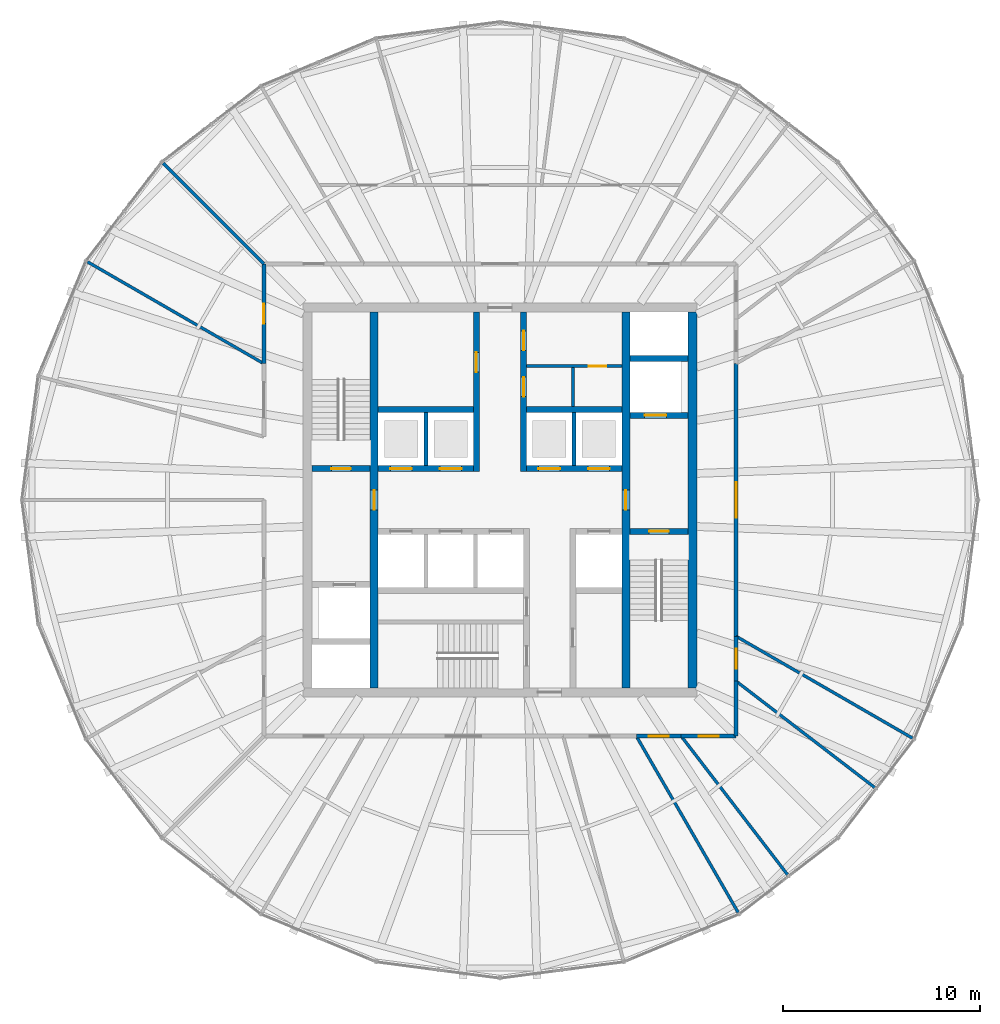
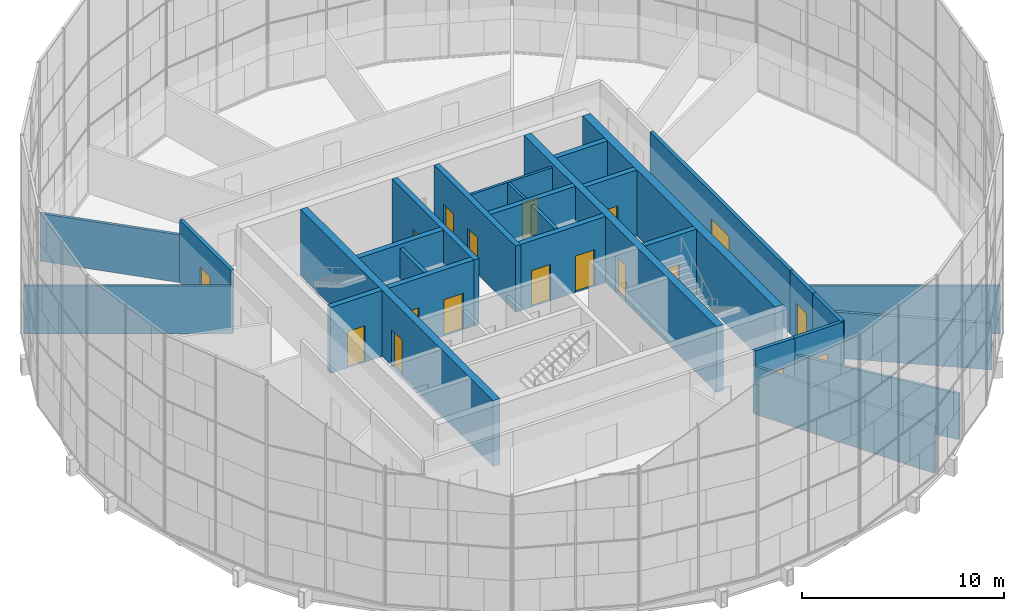
# One storey, part 19 of 22: 29 walls, 18 doors, 18 openings.
"""IFC4 building model written with IfcOpenShell, lengths in metres."""

from ifc_helpers import new_model, si_unit, direction, frame, frame_2d, origin, place, context, subcontext, project, spatial, rectangle, extrude, material, layer, layer_set, type_object, element, fill, save


model = new_model("IFC4")

# Units and contexts
model_context = context("Model", 3, precision=1e-05, world=origin(), true_north=direction((0.0, 1.0)))
body_context = subcontext(model_context, "Body", "Model", "MODEL_VIEW")
ifc_project = project(units=[si_unit("LENGTHUNIT", "METRE"), si_unit("AREAUNIT", "SQUARE_METRE"), si_unit("VOLUMEUNIT", "CUBIC_METRE"), si_unit("PLANEANGLEUNIT", "RADIAN"), si_unit("MASSUNIT", "GRAM", prefix="KILO")], contexts=[model_context])

# Site, building, storey
site_placement = place(None, origin())
site = spatial("IfcSite", under=ifc_project, at=site_placement, CompositionType="ELEMENT")
building_placement = place(site_placement, origin())
building = spatial("IfcBuilding", under=site, at=building_placement, Name="Golbaran Civic Tower", CompositionType="ELEMENT")
storey_placement = place(building_placement, frame((0.0, 0.0, 155.0)))
storey = spatial("IfcBuildingStorey", under=building, at=storey_placement, Name="L37", CompositionType="ELEMENT", Elevation=155.0)

# Wall, opening, door
ifc_material_1 = material(Name="Concrete block", Category="concrete")
ifc_layer_1 = layer(ifc_material_1, 0.14990234375, Name="Concrete block")
ifc_layer_set_1 = layer_set([ifc_layer_1], Name="Concrete block")
wall_type_1 = type_object("IfcWallType", Name="BLOCKWORK PARTITION 150", PredefinedType="PARTITIONING", material=ifc_layer_set_1)
wall_1_placement = place(storey_placement, frame((1.35009765625, 6.800048828125, 0.0), z_axis=(0.0, 0.0, 1.0), x_axis=(1.0, 0.0, 0.0)))
wall_1 = element("IfcWall", 1, at=wall_1_placement, inside=storey, type_object=wall_type_1, Name="Toilet block partition TN1 L37", PredefinedType="PARTITIONING", context=body_context, shape_type="SweptSolid", body=[
    extrude(rectangle(XDim=4.849853515625, YDim=0.14990234375, at=frame_2d((2.4248046875, 0.0))), origin(), (0.0, 0.0, 1.0), 3.75),
])
opening_1_placement = place(wall_1_placement, frame((3.14990234375, 0.0, 0.0)))
opening_1 = element("IfcOpeningElement", 2, at=opening_1_placement, cuts=wall_1, Name="Opening L37.CLN", PredefinedType="OPENING", context=body_context, shape_type="SweptSolid", body=[
    extrude(rectangle(XDim=0.89990234375, YDim=2.199951171875, at=frame_2d((0.449951171875, 1.10009765625))), frame((0.0, 0.0849609375, 0.0), z_axis=(0.0, -1.0, 0.0), x_axis=(1.0, 0.0, 0.0)), (0.0, 0.0, 1.0), 0.169921875),
])
ifc_material_2 = material(Name="Timber door set in steel frame", Category="steel")
door_type_1 = type_object("IfcDoorType", Name="RISER DOOR 900x2200", OperationType="SINGLE_SWING_LEFT", PredefinedType="DOOR", material=ifc_material_2)
door_1_placement = place(opening_1_placement, origin())
door_1 = element("IfcDoor", 3, at=door_1_placement, inside=storey, type_object=door_type_1, Name="Cleaner's Store door", OperationType="SINGLE_SWING_RIGHT", OverallHeight=2.199951171875, OverallWidth=0.89990234375, PredefinedType="DOOR", context=body_context, shape_type="SweptSolid", body=[
    extrude(rectangle(XDim=0.89990234375, YDim=2.199951171875, at=frame_2d((0.449951171875, 1.10009765625))), frame((0.0, 0.02490234375, 0.0), z_axis=(0.0, -1.0, 0.0), x_axis=(1.0, 0.0, 0.0)), (0.0, 0.0, 1.0), 0.050048828125),
])
fill(opening_1, door_1)

# Wall
wall_2_placement = place(storey_placement, frame((3.699951171875, 4.75, 0.0), z_axis=(0.0, 0.0, 1.0), x_axis=(0.0, 1.0, 0.0)))
element("IfcWall", 4, at=wall_2_placement, inside=storey, type_object=wall_type_1, Name="Toilet block partition TN2 L37", PredefinedType="PARTITIONING", context=body_context, shape_type="SweptSolid", body=[
    extrude(rectangle(XDim=1.97509765625, YDim=0.14990234375, at=frame_2d((0.987548828125, 0.0))), origin(), (0.0, 0.0, 1.0), 3.75),
])

# Wall, opening, door
ifc_material_3 = material(Name="Concrete C50/60", Category="concrete")
ifc_layer_2 = layer(ifc_material_3, 0.39990234375, Name="Concrete C50/60")
ifc_layer_set_2 = layer_set([ifc_layer_2], Name="Concrete C50/60")
wall_type_2 = type_object("IfcWallType", Name="CORE WALL CONCRETE 400", PredefinedType="SOLIDWALL", material=ifc_layer_set_2)
wall_3_placement = place(storey_placement, frame((-6.39990234375, -9.550048828125, 0.0), z_axis=(0.0, 0.0, 1.0), x_axis=(0.0, 1.0, 0.0)))
wall_3 = element("IfcWall", 5, at=wall_3_placement, inside=storey, type_object=wall_type_2, Name="Core wall IW L37", PredefinedType="SOLIDWALL", context=body_context, shape_type="SweptSolid", body=[
    extrude(rectangle(XDim=19.10009765625, YDim=0.39990234375, at=frame_2d((9.550048828125, 0.0))), origin(), (0.0, 0.0, 1.0), 4.0),
])
opening_2_placement = place(wall_3_placement, frame((9.050048828125, 0.0, 0.0)))
opening_2 = element("IfcOpeningElement", 6, at=opening_2_placement, cuts=wall_3, Name="Opening L37.FL1", PredefinedType="OPENING", context=body_context, shape_type="SweptSolid", body=[
    extrude(rectangle(XDim=1.0, YDim=2.199951171875, at=frame_2d((0.5, 1.10009765625))), frame((0.0, 0.2099609375, 0.0), z_axis=(0.0, -1.0, 0.0), x_axis=(1.0, 0.0, 0.0)), (0.0, 0.0, 1.0), 0.419921875),
])
door_type_2 = type_object("IfcDoorType", Name="STAIR DOOR 1000x2200", OperationType="SINGLE_SWING_LEFT", PredefinedType="DOOR", material=ifc_material_2)
door_2_placement = place(opening_2_placement, origin())
door_2 = element("IfcDoor", 7, at=door_2_placement, inside=storey, type_object=door_type_2, Name="Fire-fighting lobby FL1 door", OperationType="SINGLE_SWING_LEFT", OverallHeight=2.199951171875, OverallWidth=1.0, PredefinedType="DOOR", context=body_context, shape_type="SweptSolid", body=[
    extrude(rectangle(XDim=1.0, YDim=2.199951171875, at=frame_2d((0.5, 1.10009765625))), frame((0.0, 0.02490234375, 0.0), z_axis=(0.0, -1.0, 0.0), x_axis=(1.0, 0.0, 0.0)), (0.0, 0.0, 1.0), 0.050048828125),
])
fill(opening_2, door_2)

wall_4_placement = place(storey_placement, frame((6.39990234375, 9.550048828125, 0.0), z_axis=(0.0, 0.0, 1.0), x_axis=(0.0, -1.0, 0.0)))
wall_4 = element("IfcWall", 8, at=wall_4_placement, inside=storey, type_object=wall_type_2, Name="Core wall IE L37", PredefinedType="SOLIDWALL", context=body_context, shape_type="SweptSolid", body=[
    extrude(rectangle(XDim=19.10009765625, YDim=0.39990234375, at=frame_2d((9.550048828125, 0.0))), origin(), (0.0, 0.0, 1.0), 4.0),
])
opening_3_placement = place(wall_4_placement, frame((9.050048828125, 0.0, 0.0)))
opening_3 = element("IfcOpeningElement", 9, at=opening_3_placement, cuts=wall_4, Name="Opening L37.FL2", PredefinedType="OPENING", context=body_context, shape_type="SweptSolid", body=[
    extrude(rectangle(XDim=1.0, YDim=2.199951171875, at=frame_2d((0.5, 1.10009765625))), frame((0.0, 0.2099609375, 0.0), z_axis=(0.0, -1.0, 0.0), x_axis=(1.0, 0.0, 0.0)), (0.0, 0.0, 1.0), 0.419921875),
])
door_3_placement = place(opening_3_placement, origin())
door_3 = element("IfcDoor", 10, at=door_3_placement, inside=storey, type_object=door_type_2, Name="Fire-fighting lobby FL2 door", OperationType="SINGLE_SWING_RIGHT", OverallHeight=2.199951171875, OverallWidth=1.0, PredefinedType="DOOR", context=body_context, shape_type="SweptSolid", body=[
    extrude(rectangle(XDim=1.0, YDim=2.199951171875, at=frame_2d((0.5, 1.10009765625))), frame((0.0, 0.02490234375, 0.0), z_axis=(0.0, -1.0, 0.0), x_axis=(1.0, 0.0, 0.0)), (0.0, 0.0, 1.0), 0.050048828125),
])
fill(opening_3, door_3)

# Wall
ifc_layer_3 = layer(ifc_material_3, 0.449951171875, Name="Concrete C50/60")
ifc_layer_set_3 = layer_set([ifc_layer_3], Name="Concrete C50/60")
wall_type_3 = type_object("IfcWallType", Name="CORE WALL CONCRETE 450", PredefinedType="SOLIDWALL", material=ifc_layer_set_3)
wall_5_placement = place(storey_placement, frame((9.77490234375, -9.550048828125, 0.0), z_axis=(0.0, 0.0, 1.0), x_axis=(0.0, 1.0, 0.0)))
element("IfcWall", 11, at=wall_5_placement, inside=storey, type_object=wall_type_3, Name="Core wall CE L37", PredefinedType="SOLIDWALL", context=body_context, shape_type="SweptSolid", body=[
    extrude(rectangle(XDim=19.10009765625, YDim=0.449951171875, at=frame_2d((9.550048828125, 0.0))), origin(), (0.0, 0.0, 1.0), 4.0),
])

# Wall, opening, door
ifc_material_4 = material(Name="Gypsum board on steel studs, fire-rated", Category="steel")
ifc_layer_4 = layer(ifc_material_4, 0.199951171875, Name="Gypsum board on steel studs, fire-rated")
ifc_layer_set_4 = layer_set([ifc_layer_4], Name="Gypsum board on steel studs, fire-rated")
wall_type_4 = type_object("IfcWallType", Name="CORRIDOR WALL 200", PredefinedType="PARTITIONING", material=ifc_layer_set_4)
wall_6_placement = place(storey_placement, frame((12.0, -6.92822265625, 0.0), z_axis=(0.0, 0.0, 1.0), x_axis=(0.0, 1.0, 0.0)))
wall_6 = element("IfcWall", 12, at=wall_6_placement, inside=storey, type_object=wall_type_4, Name="Corridor wall L37", PredefinedType="PARTITIONING", context=body_context, shape_type="SweptSolid", body=[
    extrude(rectangle(XDim=13.8564453125, YDim=0.199951171875, at=frame_2d((6.92822265625, 0.0))), origin(), (0.0, 0.0, 1.0), 3.800048828125),
])
opening_4_placement = place(wall_6_placement, frame((6.0283203125, 0.0, 0.0)))
opening_4 = element("IfcOpeningElement", 13, at=opening_4_placement, cuts=wall_6, Name="Opening L37.04", PredefinedType="OPENING", context=body_context, shape_type="SweptSolid", body=[
    extrude(rectangle(XDim=1.800048828125, YDim=2.199951171875, at=frame_2d((0.89990234375, 1.10009765625))), frame((0.0, 0.10986328125, 0.0), z_axis=(0.0, -1.0, 0.0), x_axis=(1.0, 0.0, 0.0)), (0.0, 0.0, 1.0), 0.219970703125),
])
door_type_3 = type_object("IfcDoorType", Name="OFFICE DOUBLE DOOR 1800x2200", OperationType="DOUBLE_DOOR_SINGLE_SWING", PredefinedType="DOOR", material=ifc_material_2)
door_4_placement = place(opening_4_placement, origin())
door_4 = element("IfcDoor", 14, at=door_4_placement, inside=storey, type_object=door_type_3, Name="Project Room door L37", OperationType="DOUBLE_DOOR_SINGLE_SWING", OverallHeight=2.199951171875, OverallWidth=1.800048828125, PredefinedType="DOOR", context=body_context, shape_type="SweptSolid", body=[
    extrude(rectangle(XDim=1.800048828125, YDim=2.199951171875, at=frame_2d((0.89990234375, 1.10009765625))), frame((0.0, 0.02490234375, 0.0), z_axis=(0.0, -1.0, 0.0), x_axis=(1.0, 0.0, 0.0)), (0.0, 0.0, 1.0), 0.050048828125),
])
fill(opening_4, door_4)

wall_7_placement = place(storey_placement, frame((-12.0, 12.0, 0.0), z_axis=(0.0, 0.0, 1.0), x_axis=(0.0, -1.0, 0.0)))
wall_7 = element("IfcWall", 15, at=wall_7_placement, inside=storey, type_object=wall_type_4, Name="Corridor wall L37", PredefinedType="PARTITIONING", context=body_context, shape_type="SweptSolid", body=[
    extrude(rectangle(XDim=5.07177734375, YDim=0.199951171875, at=frame_2d((2.535888671875, 0.0))), origin(), (0.0, 0.0, 1.0), 3.800048828125),
])
opening_5_placement = place(wall_7_placement, frame((2.035888671875, 0.0, 0.0)))
opening_5 = element("IfcOpeningElement", 16, at=opening_5_placement, cuts=wall_7, Name="Opening L37.10", PredefinedType="OPENING", context=body_context, shape_type="SweptSolid", body=[
    extrude(rectangle(XDim=1.0, YDim=2.199951171875, at=frame_2d((0.5, 1.10009765625))), frame((0.0, 0.10986328125, 0.0), z_axis=(0.0, -1.0, 0.0), x_axis=(1.0, 0.0, 0.0)), (0.0, 0.0, 1.0), 0.219970703125),
])
door_type_4 = type_object("IfcDoorType", Name="OFFICE DOOR 1000x2200", OperationType="SINGLE_SWING_LEFT", PredefinedType="DOOR", material=ifc_material_2)
door_5_placement = place(opening_5_placement, origin())
door_5 = element("IfcDoor", 17, at=door_5_placement, inside=storey, type_object=door_type_4, Name="Print and Copy Room door L37", OperationType="SINGLE_SWING_RIGHT", OverallHeight=2.199951171875, OverallWidth=1.0, PredefinedType="DOOR", context=body_context, shape_type="SweptSolid", body=[
    extrude(rectangle(XDim=1.0, YDim=2.199951171875, at=frame_2d((0.5, 1.10009765625))), frame((0.0, 0.02490234375, 0.0), z_axis=(0.0, -1.0, 0.0), x_axis=(1.0, 0.0, 0.0)), (0.0, 0.0, 1.0), 0.050048828125),
])
fill(opening_5, door_5)

wall_8_placement = place(storey_placement, frame((6.92822265625, -12.0, 0.0), z_axis=(0.0, 0.0, 1.0), x_axis=(1.0, 0.0, 0.0)))
wall_8 = element("IfcWall", 18, at=wall_8_placement, inside=storey, type_object=wall_type_4, Name="Corridor wall L37", PredefinedType="PARTITIONING", context=body_context, shape_type="SweptSolid", body=[
    extrude(rectangle(XDim=2.27978515625, YDim=0.199951171875, at=frame_2d((1.139892578125, 0.0))), origin(), (0.0, 0.0, 1.0), 3.800048828125),
])
opening_6_placement = place(wall_8_placement, frame((0.639892578125, 0.0, 0.0)))
opening_6 = element("IfcOpeningElement", 19, at=opening_6_placement, cuts=wall_8, Name="Opening L37.17", PredefinedType="OPENING", context=body_context, shape_type="SweptSolid", body=[
    extrude(rectangle(XDim=1.0, YDim=2.199951171875, at=frame_2d((0.5, 1.10009765625))), frame((0.0, 0.10986328125, 0.0), z_axis=(0.0, -1.0, 0.0), x_axis=(1.0, 0.0, 0.0)), (0.0, 0.0, 1.0), 0.219970703125),
])
door_6_placement = place(opening_6_placement, origin())
door_6 = element("IfcDoor", 20, at=door_6_placement, inside=storey, type_object=door_type_4, Name="Print and Copy Room door L37", OperationType="SINGLE_SWING_LEFT", OverallHeight=2.199951171875, OverallWidth=1.0, PredefinedType="DOOR", context=body_context, shape_type="SweptSolid", body=[
    extrude(rectangle(XDim=1.0, YDim=2.199951171875, at=frame_2d((0.5, 1.10009765625))), frame((0.0, 0.02490234375, 0.0), z_axis=(0.0, -1.0, 0.0), x_axis=(1.0, 0.0, 0.0)), (0.0, 0.0, 1.0), 0.050048828125),
])
fill(opening_6, door_6)

wall_9_placement = place(storey_placement, frame((9.2080078125, -12.0, 0.0), z_axis=(0.0, 0.0, 1.0), x_axis=(1.0, 0.0, 0.0)))
wall_9 = element("IfcWall", 21, at=wall_9_placement, inside=storey, type_object=wall_type_4, Name="Corridor wall L37", PredefinedType="PARTITIONING", context=body_context, shape_type="SweptSolid", body=[
    extrude(rectangle(XDim=2.7919921875, YDim=0.199951171875, at=frame_2d((1.39599609375, 0.0))), origin(), (0.0, 0.0, 1.0), 3.800048828125),
])
opening_7_placement = place(wall_9_placement, frame((0.89599609375, 0.0, 0.0)))
opening_7 = element("IfcOpeningElement", 22, at=opening_7_placement, cuts=wall_9, Name="Opening L37.18", PredefinedType="OPENING", context=body_context, shape_type="SweptSolid", body=[
    extrude(rectangle(XDim=1.0, YDim=2.199951171875, at=frame_2d((0.5, 1.10009765625))), frame((0.0, 0.10986328125, 0.0), z_axis=(0.0, -1.0, 0.0), x_axis=(1.0, 0.0, 0.0)), (0.0, 0.0, 1.0), 0.219970703125),
])
door_7_placement = place(opening_7_placement, origin())
door_7 = element("IfcDoor", 23, at=door_7_placement, inside=storey, type_object=door_type_4, Name="Quiet Room door L37", OperationType="SINGLE_SWING_LEFT", OverallHeight=2.199951171875, OverallWidth=1.0, PredefinedType="DOOR", context=body_context, shape_type="SweptSolid", body=[
    extrude(rectangle(XDim=1.0, YDim=2.199951171875, at=frame_2d((0.5, 1.10009765625))), frame((0.0, 0.02490234375, 0.0), z_axis=(0.0, -1.0, 0.0), x_axis=(1.0, 0.0, 0.0)), (0.0, 0.0, 1.0), 0.050048828125),
])
fill(opening_7, door_7)

# Wall
wall_10_placement = place(storey_placement, frame((12.0, -12.0, 0.0), z_axis=(0.0, 0.0, 1.0), x_axis=(0.0, 1.0, 0.0)))
element("IfcWall", 24, at=wall_10_placement, inside=storey, type_object=wall_type_4, Name="Corridor wall L37", PredefinedType="PARTITIONING", context=body_context, shape_type="SweptSolid", body=[
    extrude(rectangle(XDim=2.7919921875, YDim=0.199951171875, at=frame_2d((1.39599609375, 0.0))), origin(), (0.0, 0.0, 1.0), 3.800048828125),
])

# Wall, opening, door
wall_11_placement = place(storey_placement, frame((12.0, -9.2080078125, 0.0), z_axis=(0.0, 0.0, 1.0), x_axis=(0.0, 1.0, 0.0)))
wall_11 = element("IfcWall", 25, at=wall_11_placement, inside=storey, type_object=wall_type_4, Name="Corridor wall L37", PredefinedType="PARTITIONING", context=body_context, shape_type="SweptSolid", body=[
    extrude(rectangle(XDim=2.27978515625, YDim=0.199951171875, at=frame_2d((1.139892578125, 0.0))), origin(), (0.0, 0.0, 1.0), 3.800048828125),
])
opening_8_placement = place(wall_11_placement, frame((0.639892578125, 0.0, 0.0)))
opening_8 = element("IfcOpeningElement", 26, at=opening_8_placement, cuts=wall_11, Name="Opening L37.19", PredefinedType="OPENING", context=body_context, shape_type="SweptSolid", body=[
    extrude(rectangle(XDim=1.0, YDim=2.199951171875, at=frame_2d((0.5, 1.10009765625))), frame((0.0, 0.10986328125, 0.0), z_axis=(0.0, -1.0, 0.0), x_axis=(1.0, 0.0, 0.0)), (0.0, 0.0, 1.0), 0.219970703125),
])
door_8_placement = place(opening_8_placement, origin())
door_8 = element("IfcDoor", 27, at=door_8_placement, inside=storey, type_object=door_type_4, Name="Store door L37", OperationType="SINGLE_SWING_LEFT", OverallHeight=2.199951171875, OverallWidth=1.0, PredefinedType="DOOR", context=body_context, shape_type="SweptSolid", body=[
    extrude(rectangle(XDim=1.0, YDim=2.199951171875, at=frame_2d((0.5, 1.10009765625))), frame((0.0, 0.02490234375, 0.0), z_axis=(0.0, -1.0, 0.0), x_axis=(1.0, 0.0, 0.0)), (0.0, 0.0, 1.0), 0.050048828125),
])
fill(opening_8, door_8)

# Walls
ifc_layer_5 = layer(ifc_material_1, 0.199951171875, Name="Concrete block")
ifc_layer_set_5 = layer_set([ifc_layer_5], Name="Concrete block")
wall_type_5 = type_object("IfcWallType", Name="LIFT SEPARATOR WALL 200", PredefinedType="SOLIDWALL", material=ifc_layer_set_5)
for number, where, z_axis, x_axis, name in (
    (28, (-3.75, 1.75, 0.0), (0.0, 0.0, 1.0), (0.0, 1.0, 0.0), "Core partition SNW L37"),
    (29, (3.75, 1.75, 0.0), (0.0, 0.0, 1.0), (0.0, 1.0, 0.0), "Core partition SNE L37"),
):
    element("IfcWall", number, at=place(storey_placement, frame(where, z_axis=z_axis, x_axis=x_axis)), inside=storey, type_object=wall_type_5, Name=name, PredefinedType="SOLIDWALL", context=body_context, shape_type="SweptSolid", body=[
        extrude(rectangle(XDim=2.699951171875, YDim=0.199951171875, at=frame_2d((1.35009765625, 0.0))), origin(), (0.0, 0.0, 1.0), 3.75),
    ])
ifc_material_5 = material(Name="Gypsum board on steel studs", Category="steel")
ifc_layer_6 = layer(ifc_material_5, 0.14990234375, Name="Gypsum board on steel studs")
ifc_layer_set_6 = layer_set([ifc_layer_6], Name="Gypsum board on steel studs")
wall_type_6 = type_object("IfcWallType", Name="OFFICE PARTITION 150", PredefinedType="PARTITIONING", material=ifc_layer_set_6)
wall_12_placement = place(storey_placement, frame((12.0, -6.92822265625, 0.0), z_axis=(0.0, 0.0, 1.0), x_axis=(0.86602185845, -0.500006140648, 0.0)))
element("IfcWall", 30, at=wall_12_placement, inside=storey, type_object=wall_type_6, Name="Partition 330 L37", PredefinedType="PARTITIONING", context=body_context, shape_type="SweptSolid", body=[
    extrude(rectangle(XDim=10.354736328125, YDim=0.14990234375, at=frame_2d((5.17724609375, 0.0))), origin(), (0.0, 0.0, 1.0), 2.889892578125),
])
wall_13_placement = place(storey_placement, frame((-12.0, 12.0, 0.0), z_axis=(0.0, 0.0, 1.0), x_axis=(-0.707106781187, 0.707106781187, 0.0)))
element("IfcWall", 31, at=wall_13_placement, inside=storey, type_object=wall_type_6, Name="Partition 135 L37", PredefinedType="PARTITIONING", context=body_context, shape_type="SweptSolid", body=[
    extrude(rectangle(XDim=7.240478515625, YDim=0.14990234375, at=frame_2d((3.6201171875, 0.0))), origin(), (0.0, 0.0, 1.0), 2.889892578125),
])
for number, where, z_axis, x_axis, name in (
    (32, (-12.0, 6.92822265625, 0.0), (0.0, 0.0, 1.0), (-0.86602185845, 0.500006140648, 0.0), "Partition 150 L37"),
    (33, (6.92822265625, -12.0, 0.0), (0.0, 0.0, 1.0), (0.500006140648, -0.86602185845, 0.0), "Partition 300 L37"),
):
    element("IfcWall", number, at=place(storey_placement, frame(where, z_axis=z_axis, x_axis=x_axis)), inside=storey, type_object=wall_type_6, Name=name, PredefinedType="PARTITIONING", context=body_context, shape_type="SweptSolid", body=[
        extrude(rectangle(XDim=10.354736328125, YDim=0.14990234375, at=frame_2d((5.17724609375, 0.0))), origin(), (0.0, 0.0, 1.0), 2.889892578125),
    ])
for number, where, z_axis, x_axis, name in (
    (34, (9.2080078125, -12.0, 0.0), (0.0, 0.0, 1.0), (0.608758816746, -0.793355344744, 0.0), "Partition 307.5 L37"),
    (35, (12.0, -9.2080078125, 0.0), (0.0, 0.0, 1.0), (0.793355344744, -0.608758816746, 0.0), "Partition 322.5 L37"),
):
    element("IfcWall", number, at=place(storey_placement, frame(where, z_axis=z_axis, x_axis=x_axis)), inside=storey, type_object=wall_type_6, Name=name, PredefinedType="PARTITIONING", context=body_context, shape_type="SweptSolid", body=[
        extrude(rectangle(XDim=8.87841796875, YDim=0.14990234375, at=frame_2d((4.439208984375, 0.0))), origin(), (0.0, 0.0, 1.0), 2.7900390625),
    ])

# Wall, openings, doors
ifc_layer_7 = layer(ifc_material_3, 0.300048828125, Name="Concrete C50/60")
ifc_layer_set_7 = layer_set([ifc_layer_7], Name="Concrete C50/60")
wall_type_7 = type_object("IfcWallType", Name="SHAFT WALL CONCRETE 300", PredefinedType="SOLIDWALL", material=ifc_layer_set_7)
wall_14_placement = place(storey_placement, frame((-6.199951171875, 1.60009765625, 0.0), z_axis=(0.0, 0.0, 1.0), x_axis=(1.0, 0.0, 0.0)))
wall_14 = element("IfcWall", 36, at=wall_14_placement, inside=storey, type_object=wall_type_7, Name="Core wall FNW L37", PredefinedType="SOLIDWALL", context=body_context, shape_type="SweptSolid", body=[
    extrude(rectangle(XDim=4.849853515625, YDim=0.300048828125, at=frame_2d((2.4248046875, 0.0))), origin(), (0.0, 0.0, 1.0), 4.0),
])
opening_9_placement = place(wall_14_placement, frame((0.625, 0.0, 0.0)))
opening_9 = element("IfcOpeningElement", 37, at=opening_9_placement, cuts=wall_14, Name="Opening L37.LD-Z1H", PredefinedType="OPENING", context=body_context, shape_type="SweptSolid", body=[
    extrude(rectangle(XDim=1.10009765625, YDim=2.199951171875, at=frame_2d((0.550048828125, 1.10009765625))), frame((0.0, 0.159912109375, 0.0), z_axis=(0.0, -1.0, 0.0), x_axis=(1.0, 0.0, 0.0)), (0.0, 0.0, 1.0), 0.320068359375),
])
opening_10_placement = place(wall_14_placement, frame((3.14990234375, 0.0, 0.0)))
opening_10 = element("IfcOpeningElement", 38, at=opening_10_placement, cuts=wall_14, Name="Opening L37.LD-Z2H", PredefinedType="OPENING", context=body_context, shape_type="SweptSolid", body=[
    extrude(rectangle(XDim=1.10009765625, YDim=2.199951171875, at=frame_2d((0.550048828125, 1.10009765625))), frame((0.0, 0.159912109375, 0.0), z_axis=(0.0, -1.0, 0.0), x_axis=(1.0, 0.0, 0.0)), (0.0, 0.0, 1.0), 0.320068359375),
])
ifc_material_6 = material(Name="Stainless steel", Category="steel")
door_type_5 = type_object("IfcDoorType", Name="LIFT LANDING DOOR 1100x2200", OperationType="SLIDING_TO_LEFT", PredefinedType="DOOR", material=ifc_material_6)
door_9_placement = place(opening_9_placement, origin())
door_9 = element("IfcDoor", 39, at=door_9_placement, inside=storey, type_object=door_type_5, Name="Lift landing door Z1H", OperationType="SLIDING_TO_LEFT", OverallHeight=2.199951171875, OverallWidth=1.10009765625, PredefinedType="DOOR", context=body_context, shape_type="SweptSolid", body=[
    extrude(rectangle(XDim=1.10009765625, YDim=2.199951171875, at=frame_2d((0.550048828125, 1.10009765625))), frame((0.0, 0.02490234375, 0.0), z_axis=(0.0, -1.0, 0.0), x_axis=(1.0, 0.0, 0.0)), (0.0, 0.0, 1.0), 0.050048828125),
])
fill(opening_9, door_9)
door_10_placement = place(opening_10_placement, origin())
door_10 = element("IfcDoor", 40, at=door_10_placement, inside=storey, type_object=door_type_5, Name="Lift landing door Z2H", OperationType="SLIDING_TO_LEFT", OverallHeight=2.199951171875, OverallWidth=1.10009765625, PredefinedType="DOOR", context=body_context, shape_type="SweptSolid", body=[
    extrude(rectangle(XDim=1.10009765625, YDim=2.199951171875, at=frame_2d((0.550048828125, 1.10009765625))), frame((0.0, 0.02490234375, 0.0), z_axis=(0.0, -1.0, 0.0), x_axis=(1.0, 0.0, 0.0)), (0.0, 0.0, 1.0), 0.050048828125),
])
fill(opening_10, door_10)

wall_15_placement = place(storey_placement, frame((1.35009765625, 1.60009765625, 0.0), z_axis=(0.0, 0.0, 1.0), x_axis=(1.0, 0.0, 0.0)))
wall_15 = element("IfcWall", 41, at=wall_15_placement, inside=storey, type_object=wall_type_7, Name="Core wall FNE L37", PredefinedType="SOLIDWALL", context=body_context, shape_type="SweptSolid", body=[
    extrude(rectangle(XDim=4.849853515625, YDim=0.300048828125, at=frame_2d((2.4248046875, 0.0))), origin(), (0.0, 0.0, 1.0), 4.0),
])
opening_11_placement = place(wall_15_placement, frame((0.60009765625, 0.0, 0.0)))
opening_11 = element("IfcOpeningElement", 42, at=opening_11_placement, cuts=wall_15, Name="Opening L37.LD-Z3H", PredefinedType="OPENING", context=body_context, shape_type="SweptSolid", body=[
    extrude(rectangle(XDim=1.10009765625, YDim=2.199951171875, at=frame_2d((0.550048828125, 1.10009765625))), frame((0.0, 0.159912109375, 0.0), z_axis=(0.0, -1.0, 0.0), x_axis=(1.0, 0.0, 0.0)), (0.0, 0.0, 1.0), 0.320068359375),
])
opening_12_placement = place(wall_15_placement, frame((3.125, 0.0, 0.0)))
opening_12 = element("IfcOpeningElement", 43, at=opening_12_placement, cuts=wall_15, Name="Opening L37.LD-Z4H", PredefinedType="OPENING", context=body_context, shape_type="SweptSolid", body=[
    extrude(rectangle(XDim=1.10009765625, YDim=2.199951171875, at=frame_2d((0.550048828125, 1.10009765625))), frame((0.0, 0.159912109375, 0.0), z_axis=(0.0, -1.0, 0.0), x_axis=(1.0, 0.0, 0.0)), (0.0, 0.0, 1.0), 0.320068359375),
])
door_11_placement = place(opening_11_placement, origin())
door_11 = element("IfcDoor", 44, at=door_11_placement, inside=storey, type_object=door_type_5, Name="Lift landing door Z3H", OperationType="SLIDING_TO_LEFT", OverallHeight=2.199951171875, OverallWidth=1.10009765625, PredefinedType="DOOR", context=body_context, shape_type="SweptSolid", body=[
    extrude(rectangle(XDim=1.10009765625, YDim=2.199951171875, at=frame_2d((0.550048828125, 1.10009765625))), frame((0.0, 0.02490234375, 0.0), z_axis=(0.0, -1.0, 0.0), x_axis=(1.0, 0.0, 0.0)), (0.0, 0.0, 1.0), 0.050048828125),
])
fill(opening_11, door_11)
door_12_placement = place(opening_12_placement, origin())
door_12 = element("IfcDoor", 45, at=door_12_placement, inside=storey, type_object=door_type_5, Name="Lift landing door Z4H", OperationType="SLIDING_TO_LEFT", OverallHeight=2.199951171875, OverallWidth=1.10009765625, PredefinedType="DOOR", context=body_context, shape_type="SweptSolid", body=[
    extrude(rectangle(XDim=1.10009765625, YDim=2.199951171875, at=frame_2d((0.550048828125, 1.10009765625))), frame((0.0, 0.02490234375, 0.0), z_axis=(0.0, -1.0, 0.0), x_axis=(1.0, 0.0, 0.0)), (0.0, 0.0, 1.0), 0.050048828125),
])
fill(opening_12, door_12)

# Walls
for number, where, z_axis, x_axis, name in (
    (46, (-6.199951171875, 4.60009765625, 0.0), (0.0, 0.0, 1.0), (1.0, 0.0, 0.0), "Core wall BNW L37"),
    (47, (1.35009765625, 4.60009765625, 0.0), (0.0, 0.0, 1.0), (1.0, 0.0, 0.0), "Core wall BNE L37"),
):
    element("IfcWall", number, at=place(storey_placement, frame(where, z_axis=z_axis, x_axis=x_axis)), inside=storey, type_object=wall_type_7, Name=name, PredefinedType="SOLIDWALL", context=body_context, shape_type="SweptSolid", body=[
        extrude(rectangle(XDim=4.849853515625, YDim=0.300048828125, at=frame_2d((2.4248046875, 0.0))), origin(), (0.0, 0.0, 1.0), 4.0),
    ])

# Wall, opening, door
wall_16_placement = place(storey_placement, frame((-1.199951171875, 1.449951171875, 0.0), z_axis=(0.0, 0.0, 1.0), x_axis=(0.0, 1.0, 0.0)))
wall_16 = element("IfcWall", 48, at=wall_16_placement, inside=storey, type_object=wall_type_7, Name="Core wall PNW L37", PredefinedType="SOLIDWALL", context=body_context, shape_type="SweptSolid", body=[
    extrude(rectangle(XDim=8.10009765625, YDim=0.300048828125, at=frame_2d((4.050048828125, 0.0))), origin(), (0.0, 0.0, 1.0), 4.0),
])
opening_13_placement = place(wall_16_placement, frame((5.050048828125, 0.0, 0.0)))
opening_13 = element("IfcOpeningElement", 49, at=opening_13_placement, cuts=wall_16, Name="Opening L37.WCM", PredefinedType="OPENING", context=body_context, shape_type="SweptSolid", body=[
    extrude(rectangle(XDim=1.0, YDim=2.199951171875, at=frame_2d((0.5, 1.10009765625))), frame((0.0, 0.159912109375, 0.0), z_axis=(0.0, -1.0, 0.0), x_axis=(1.0, 0.0, 0.0)), (0.0, 0.0, 1.0), 0.320068359375),
])
door_type_6 = type_object("IfcDoorType", Name="TOILET DOOR 1000x2200", OperationType="SINGLE_SWING_LEFT", PredefinedType="DOOR", material=ifc_material_2)
door_13_placement = place(opening_13_placement, origin())
door_13 = element("IfcDoor", 50, at=door_13_placement, inside=storey, type_object=door_type_6, Name="North-west toilet block door", OperationType="SINGLE_SWING_RIGHT", OverallHeight=2.199951171875, OverallWidth=1.0, PredefinedType="DOOR", context=body_context, shape_type="SweptSolid", body=[
    extrude(rectangle(XDim=1.0, YDim=2.199951171875, at=frame_2d((0.5, 1.10009765625))), frame((0.0, 0.02490234375, 0.0), z_axis=(0.0, -1.0, 0.0), x_axis=(1.0, 0.0, 0.0)), (0.0, 0.0, 1.0), 0.050048828125),
])
fill(opening_13, door_13)

# Wall, openings, doors
wall_17_placement = place(storey_placement, frame((1.199951171875, 1.449951171875, 0.0), z_axis=(0.0, 0.0, 1.0), x_axis=(0.0, 1.0, 0.0)))
wall_17 = element("IfcWall", 51, at=wall_17_placement, inside=storey, type_object=wall_type_7, Name="Core wall PNE L37", PredefinedType="SOLIDWALL", context=body_context, shape_type="SweptSolid", body=[
    extrude(rectangle(XDim=8.10009765625, YDim=0.300048828125, at=frame_2d((4.050048828125, 0.0))), origin(), (0.0, 0.0, 1.0), 4.0),
])
opening_14_placement = place(wall_17_placement, frame((3.800048828125, 0.0, 0.0)))
opening_14 = element("IfcOpeningElement", 52, at=opening_14_placement, cuts=wall_17, Name="Opening L37.WCA", PredefinedType="OPENING", context=body_context, shape_type="SweptSolid", body=[
    extrude(rectangle(XDim=1.0, YDim=2.199951171875, at=frame_2d((0.5, 1.10009765625))), frame((0.0, 0.159912109375, 0.0), z_axis=(0.0, -1.0, 0.0), x_axis=(1.0, 0.0, 0.0)), (0.0, 0.0, 1.0), 0.320068359375),
])
opening_15_placement = place(wall_17_placement, frame((6.14990234375, 0.0, 0.0)))
opening_15 = element("IfcOpeningElement", 53, at=opening_15_placement, cuts=wall_17, Name="Opening L37.WCF", PredefinedType="OPENING", context=body_context, shape_type="SweptSolid", body=[
    extrude(rectangle(XDim=1.0, YDim=2.199951171875, at=frame_2d((0.5, 1.10009765625))), frame((0.0, 0.159912109375, 0.0), z_axis=(0.0, -1.0, 0.0), x_axis=(1.0, 0.0, 0.0)), (0.0, 0.0, 1.0), 0.320068359375),
])
door_14_placement = place(opening_14_placement, origin())
door_14 = element("IfcDoor", 54, at=door_14_placement, inside=storey, type_object=door_type_6, Name="Accessible WC door", OperationType="SINGLE_SWING_RIGHT", OverallHeight=2.199951171875, OverallWidth=1.0, PredefinedType="DOOR", context=body_context, shape_type="SweptSolid", body=[
    extrude(rectangle(XDim=1.0, YDim=2.199951171875, at=frame_2d((0.5, 1.10009765625))), frame((0.0, 0.02490234375, 0.0), z_axis=(0.0, -1.0, 0.0), x_axis=(1.0, 0.0, 0.0)), (0.0, 0.0, 1.0), 0.050048828125),
])
fill(opening_14, door_14)
door_15_placement = place(opening_15_placement, origin())
door_15 = element("IfcDoor", 55, at=door_15_placement, inside=storey, type_object=door_type_6, Name="North-east toilet block door", OperationType="SINGLE_SWING_RIGHT", OverallHeight=2.199951171875, OverallWidth=1.0, PredefinedType="DOOR", context=body_context, shape_type="SweptSolid", body=[
    extrude(rectangle(XDim=1.0, YDim=2.199951171875, at=frame_2d((0.5, 1.10009765625))), frame((0.0, 0.02490234375, 0.0), z_axis=(0.0, -1.0, 0.0), x_axis=(1.0, 0.0, 0.0)), (0.0, 0.0, 1.0), 0.050048828125),
])
fill(opening_15, door_15)

# Wall, opening, door
wall_18_placement = place(storey_placement, frame((-9.550048828125, 1.60009765625, 0.0), z_axis=(0.0, 0.0, 1.0), x_axis=(1.0, 0.0, 0.0)))
wall_18 = element("IfcWall", 56, at=wall_18_placement, inside=storey, type_object=wall_type_7, Name="Core wall XW1 L37", PredefinedType="SOLIDWALL", context=body_context, shape_type="SweptSolid", body=[
    extrude(rectangle(XDim=2.949951171875, YDim=0.300048828125, at=frame_2d((1.47509765625, 0.0))), origin(), (0.0, 0.0, 1.0), 4.0),
])
opening_16_placement = place(wall_18_placement, frame((0.97509765625, 0.0, 0.0)))
opening_16 = element("IfcOpeningElement", 57, at=opening_16_placement, cuts=wall_18, Name="Opening L37.S1", PredefinedType="OPENING", context=body_context, shape_type="SweptSolid", body=[
    extrude(rectangle(XDim=1.0, YDim=2.199951171875, at=frame_2d((0.5, 1.10009765625))), frame((0.0, 0.159912109375, 0.0), z_axis=(0.0, -1.0, 0.0), x_axis=(1.0, 0.0, 0.0)), (0.0, 0.0, 1.0), 0.320068359375),
])
door_16_placement = place(opening_16_placement, origin())
door_16 = element("IfcDoor", 58, at=door_16_placement, inside=storey, type_object=door_type_2, Name="Stair S1 door", OperationType="SINGLE_SWING_LEFT", OverallHeight=2.199951171875, OverallWidth=1.0, PredefinedType="DOOR", context=body_context, shape_type="SweptSolid", body=[
    extrude(rectangle(XDim=1.0, YDim=2.199951171875, at=frame_2d((0.5, 1.10009765625))), frame((0.0, 0.02490234375, 0.0), z_axis=(0.0, -1.0, 0.0), x_axis=(1.0, 0.0, 0.0)), (0.0, 0.0, 1.0), 0.050048828125),
])
fill(opening_16, door_16)

wall_19_placement = place(storey_placement, frame((6.60009765625, -1.60009765625, 0.0), z_axis=(0.0, 0.0, 1.0), x_axis=(1.0, 0.0, 0.0)))
wall_19 = element("IfcWall", 59, at=wall_19_placement, inside=storey, type_object=wall_type_7, Name="Core wall XE1 L37", PredefinedType="SOLIDWALL", context=body_context, shape_type="SweptSolid", body=[
    extrude(rectangle(XDim=2.949951171875, YDim=0.300048828125, at=frame_2d((1.47509765625, 0.0))), origin(), (0.0, 0.0, 1.0), 4.0),
])
opening_17_placement = place(wall_19_placement, frame((0.97509765625, 0.0, 0.0)))
opening_17 = element("IfcOpeningElement", 60, at=opening_17_placement, cuts=wall_19, Name="Opening L37.S2", PredefinedType="OPENING", context=body_context, shape_type="SweptSolid", body=[
    extrude(rectangle(XDim=1.0, YDim=2.199951171875, at=frame_2d((0.5, 1.10009765625))), frame((0.0, 0.159912109375, 0.0), z_axis=(0.0, -1.0, 0.0), x_axis=(1.0, 0.0, 0.0)), (0.0, 0.0, 1.0), 0.320068359375),
])
door_17_placement = place(opening_17_placement, origin())
door_17 = element("IfcDoor", 61, at=door_17_placement, inside=storey, type_object=door_type_2, Name="Stair S2 door", OperationType="SINGLE_SWING_LEFT", OverallHeight=2.199951171875, OverallWidth=1.0, PredefinedType="DOOR", context=body_context, shape_type="SweptSolid", body=[
    extrude(rectangle(XDim=1.0, YDim=2.199951171875, at=frame_2d((0.5, 1.10009765625))), frame((0.0, 0.02490234375, 0.0), z_axis=(0.0, -1.0, 0.0), x_axis=(1.0, 0.0, 0.0)), (0.0, 0.0, 1.0), 0.050048828125),
])
fill(opening_17, door_17)

wall_20_placement = place(storey_placement, frame((6.60009765625, 4.300048828125, 0.0), z_axis=(0.0, 0.0, 1.0), x_axis=(1.0, 0.0, 0.0)))
wall_20 = element("IfcWall", 62, at=wall_20_placement, inside=storey, type_object=wall_type_7, Name="Core wall XE2 L37", PredefinedType="SOLIDWALL", context=body_context, shape_type="SweptSolid", body=[
    extrude(rectangle(XDim=2.949951171875, YDim=0.300048828125, at=frame_2d((1.47509765625, 0.0))), origin(), (0.0, 0.0, 1.0), 4.0),
])
opening_18_placement = place(wall_20_placement, frame((0.75, 0.0, 0.0)))
opening_18 = element("IfcOpeningElement", 63, at=opening_18_placement, cuts=wall_20, Name="Opening L37.LD-F2", PredefinedType="OPENING", context=body_context, shape_type="SweptSolid", body=[
    extrude(rectangle(XDim=1.10009765625, YDim=2.199951171875, at=frame_2d((0.550048828125, 1.10009765625))), frame((0.0, 0.159912109375, 0.0), z_axis=(0.0, -1.0, 0.0), x_axis=(1.0, 0.0, 0.0)), (0.0, 0.0, 1.0), 0.320068359375),
])
door_18_placement = place(opening_18_placement, origin())
door_18 = element("IfcDoor", 64, at=door_18_placement, inside=storey, type_object=door_type_5, Name="Lift landing door F2", OperationType="SLIDING_TO_LEFT", OverallHeight=2.199951171875, OverallWidth=1.10009765625, PredefinedType="DOOR", context=body_context, shape_type="SweptSolid", body=[
    extrude(rectangle(XDim=1.10009765625, YDim=2.199951171875, at=frame_2d((0.550048828125, 1.10009765625))), frame((0.0, 0.02490234375, 0.0), z_axis=(0.0, -1.0, 0.0), x_axis=(1.0, 0.0, 0.0)), (0.0, 0.0, 1.0), 0.050048828125),
])
fill(opening_18, door_18)

# Wall
wall_21_placement = place(storey_placement, frame((6.60009765625, 7.199951171875, 0.0), z_axis=(0.0, 0.0, 1.0), x_axis=(1.0, 0.0, 0.0)))
element("IfcWall", 65, at=wall_21_placement, inside=storey, type_object=wall_type_7, Name="Core wall XE3 L37", PredefinedType="SOLIDWALL", context=body_context, shape_type="SweptSolid", body=[
    extrude(rectangle(XDim=2.949951171875, YDim=0.300048828125, at=frame_2d((1.47509765625, 0.0))), origin(), (0.0, 0.0, 1.0), 4.0),
])

save(model, "model.ifc")
